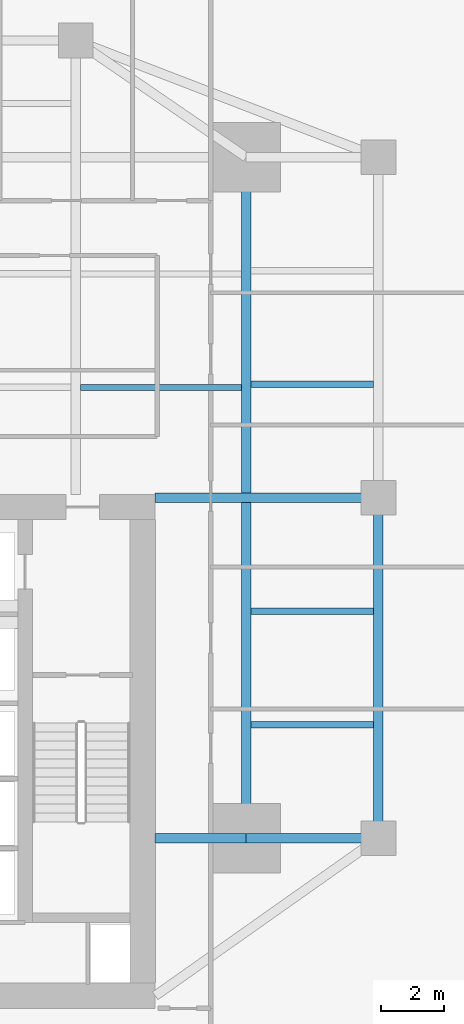
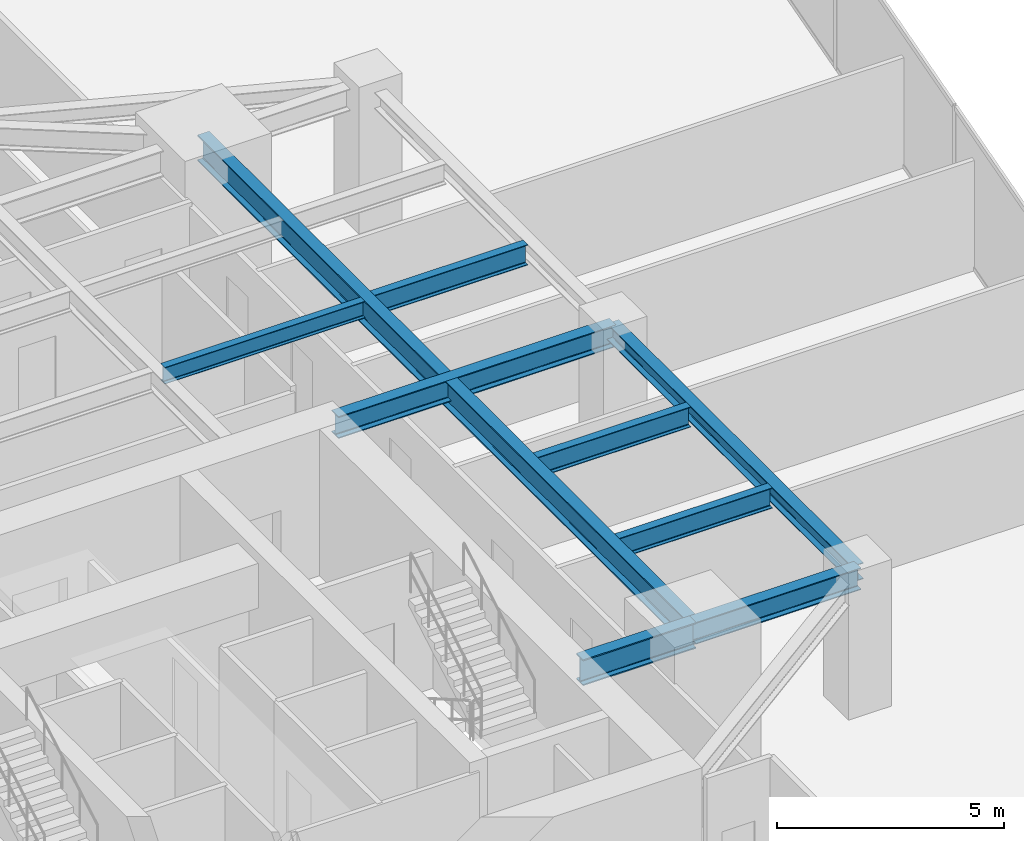
# One storey, part 13 of 29: 9 beams.
"""IFC4 building model written with IfcOpenShell, lengths in metres."""

from ifc_helpers import new_model, si_unit, direction, frame, origin, origin_2d, place, context, subcontext, project, spatial, i_section, extrude, source, transform, mapped, material, material_profile, profile_set, type_object, type_shapes, element, save


model = new_model("IFC4")

# Units and contexts
model_context = context("Model", 3, precision=1e-05, world=origin(), true_north=direction((0.0, 1.0)))
body_context = subcontext(model_context, "Body", "Model", "MODEL_VIEW")
ifc_project = project(units=[si_unit("LENGTHUNIT", "METRE"), si_unit("AREAUNIT", "SQUARE_METRE"), si_unit("VOLUMEUNIT", "CUBIC_METRE"), si_unit("PLANEANGLEUNIT", "RADIAN"), si_unit("MASSUNIT", "GRAM", prefix="KILO")], contexts=[model_context])

# Site, building, storey
site_placement = place(None, origin())
site = spatial("IfcSite", under=ifc_project, at=site_placement, CompositionType="ELEMENT")
building_placement = place(site_placement, origin())
building = spatial("IfcBuilding", under=site, at=building_placement, Name="Krantzveldt Concourse Tower", CompositionType="ELEMENT")
storey_placement = place(building_placement, frame((0.0, 0.0, 68.449951171875)))
storey = spatial("IfcBuildingStorey", under=building, at=storey_placement, Name="L16", CompositionType="ELEMENT", Elevation=68.449951171875)

# Beams
ifc_material_1 = material(Name="Steel S355J2", Category="steel")
ifc_material_profile_1 = material_profile(ifc_material_1, i_section(OverallWidth=0.300048828125, OverallDepth=0.699951171875, WebThickness=0.01708984375, FlangeThickness=0.031982421875, FilletRadius=0.027099609375, at=origin_2d()), Name="Steel S355J2", Category="steel")
ifc_profile_set_1 = profile_set([ifc_material_profile_1], Name="Steel S355J2 - HEB 700")
beam_type_1 = type_object("IfcBeamType", Name="BM-B-HEB700", PredefinedType="BEAM", material=ifc_profile_set_1)
shared_shape_1 = source(origin(), body_context, "Body", "SweptSolid", [
    extrude(i_section(OverallWidth=0.300048828125, OverallDepth=0.699951171875, WebThickness=0.01708984375, FlangeThickness=0.031982421875, FilletRadius=0.027099609375, at=origin_2d()), origin(), (0.0, 0.0, 1.0), 2.880126953125),
])
beam_1_placement = place(storey_placement, frame((43.919921875, 15.89990234375, 3.320068359375), z_axis=(1.0, 0.0, 0.0), x_axis=(0.0, 1.0, 0.0)))
element("IfcBeam", 1, at=beam_1_placement, inside=storey, type_object=beam_type_1, Name="L16 Tower Girder BG-CE1", PredefinedType="BEAM", context=body_context, shape_type="MappedRepresentation", body=[
    mapped(shared_shape_1, transform((0.0, 0.0, 0.0), x_axis=(1.0, 0.0, 0.0), y_axis=(0.0, 1.0, 0.0), z_axis=(0.0, 0.0, 1.0), scale=1.0)),
])
shared_shape_2 = source(origin(), body_context, "Body", "SweptSolid", [
    extrude(i_section(OverallWidth=0.300048828125, OverallDepth=0.699951171875, WebThickness=0.01708984375, FlangeThickness=0.031982421875, FilletRadius=0.027099609375, at=origin_2d()), origin(), (0.0, 0.0, 1.0), 21.60009765625),
])
type_shapes(beam_type_1, [shared_shape_1, shared_shape_2])
beam_2_placement = place(storey_placement, frame((46.800048828125, 15.89990234375, 3.320068359375), z_axis=(0.0, 1.0, 0.0), x_axis=(-1.0, 0.0, 0.0)))
element("IfcBeam", 2, at=beam_2_placement, inside=storey, type_object=beam_type_1, Name="L16 Tower Girder BG-ME", PredefinedType="BEAM", context=body_context, shape_type="MappedRepresentation", body=[
    mapped(shared_shape_2, transform((0.0, 0.0, 0.0), x_axis=(1.0, 0.0, 0.0), y_axis=(0.0, 1.0, 0.0), z_axis=(0.0, 0.0, 1.0), scale=1.0)),
])
ifc_material_2 = material(Name="Steel S355JR", Category="steel")
ifc_material_profile_2 = material_profile(ifc_material_2, i_section(OverallWidth=0.300048828125, OverallDepth=0.590087890625, WebThickness=0.012939453125, FlangeThickness=0.02490234375, FilletRadius=0.027099609375, at=origin_2d()), Name="Steel S355JR", Category="steel")
ifc_profile_set_2 = profile_set([ifc_material_profile_2], Name="Steel S355JR - HEA 600")
beam_type_2 = type_object("IfcBeamType", Name="BM-B-HEA600", PredefinedType="BEAM", material=ifc_profile_set_2)
shared_shape_3 = source(origin(), body_context, "Body", "SweptSolid", [
    extrude(i_section(OverallWidth=0.300048828125, OverallDepth=0.590087890625, WebThickness=0.012939453125, FlangeThickness=0.02490234375, FilletRadius=0.027099609375, at=origin_2d()), origin(), (0.0, 0.0, 1.0), 7.080078125),
])
beam_3_placement = place(storey_placement, frame((43.919921875, 26.699951171875, 3.375), z_axis=(1.0, 0.0, 0.0), x_axis=(0.0, 1.0, 0.0)))
element("IfcBeam", 3, at=beam_3_placement, inside=storey, type_object=beam_type_2, Name="L16 Tower Girder BG-CE2", PredefinedType="BEAM", context=body_context, shape_type="MappedRepresentation", body=[
    mapped(shared_shape_3, transform((0.0, 0.0, 0.0), x_axis=(1.0, 0.0, 0.0), y_axis=(0.0, 1.0, 0.0), z_axis=(0.0, 0.0, 1.0), scale=1.0)),
])
ifc_material_profile_3 = material_profile(ifc_material_2, i_section(OverallWidth=0.300048828125, OverallDepth=0.43994140625, WebThickness=0.011474609375, FlangeThickness=0.02099609375, FilletRadius=0.027099609375, at=origin_2d()), Name="Steel S355JR", Category="steel")
ifc_profile_set_3 = profile_set([ifc_material_profile_3], Name="Steel S355JR - HEA 450")
beam_type_3 = type_object("IfcBeamType", Name="BM-SP-HEA450", PredefinedType="SPANDREL", material=ifc_profile_set_3)
shared_shape_4 = source(origin(), body_context, "Body", "SweptSolid", [
    extrude(i_section(OverallWidth=0.300048828125, OverallDepth=0.43994140625, WebThickness=0.011474609375, FlangeThickness=0.02099609375, FilletRadius=0.027099609375, at=origin_2d()), origin(), (0.0, 0.0, 1.0), 10.800048828125),
])
type_shapes(beam_type_3, [shared_shape_4])
beam_4_placement = place(storey_placement, frame((51.0, 26.699951171875, 3.449951171875), z_axis=(0.0, -1.0, 0.0), x_axis=(1.0, 0.0, 0.0)))
element("IfcBeam", 4, at=beam_4_placement, inside=storey, type_object=beam_type_3, Name="L16 Tower Girder SP-R07", PredefinedType="SPANDREL", context=body_context, shape_type="MappedRepresentation", body=[
    mapped(shared_shape_4, transform((0.0, 0.0, 0.0), x_axis=(1.0, 0.0, 0.0), y_axis=(0.0, 1.0, 0.0), z_axis=(0.0, 0.0, 1.0), scale=1.0)),
])
shared_shape_5 = source(origin(), body_context, "Body", "SweptSolid", [
    extrude(i_section(OverallWidth=0.300048828125, OverallDepth=0.590087890625, WebThickness=0.012939453125, FlangeThickness=0.02490234375, FilletRadius=0.027099609375, at=origin_2d()), origin(), (0.0, 0.0, 1.0), 4.199951171875),
])
type_shapes(beam_type_2, [shared_shape_3, shared_shape_5])
beam_5_placement = place(storey_placement, frame((46.800048828125, 15.89990234375, 3.375), z_axis=(1.0, 0.0, 0.0), x_axis=(0.0, 1.0, 0.0)))
element("IfcBeam", 5, at=beam_5_placement, inside=storey, type_object=beam_type_2, Name="L16 Tower Girder BR-RR1", PredefinedType="BEAM", context=body_context, shape_type="MappedRepresentation", body=[
    mapped(shared_shape_5, transform((0.0, 0.0, 0.0), x_axis=(1.0, 0.0, 0.0), y_axis=(0.0, 1.0, 0.0), z_axis=(0.0, 0.0, 1.0), scale=1.0)),
])
ifc_material_profile_4 = material_profile(ifc_material_2, i_section(OverallWidth=0.18994140625, OverallDepth=0.449951171875, WebThickness=0.009521484375, FlangeThickness=0.0146484375, FilletRadius=0.02099609375, at=origin_2d()), Name="Steel S355JR", Category="steel")
ifc_profile_set_4 = profile_set([ifc_material_profile_4], Name="Steel S355JR - IPE 450")
beam_type_4 = type_object("IfcBeamType", Name="BM-J-IPE450", PredefinedType="JOIST", material=ifc_profile_set_4)
shared_shape_6 = source(origin(), body_context, "Body", "SweptSolid", [
    extrude(i_section(OverallWidth=0.18994140625, OverallDepth=0.449951171875, WebThickness=0.009521484375, FlangeThickness=0.0146484375, FilletRadius=0.02099609375, at=origin_2d()), origin(), (0.0, 0.0, 1.0), 5.099853515625),
])
type_shapes(beam_type_4, [shared_shape_6])
beam_6_placement = place(storey_placement, frame((41.550048828125, 30.199951171875, 3.445068359375), z_axis=(1.0, 0.0, 0.0), x_axis=(0.0, 1.0, 0.0)))
element("IfcBeam", 6, at=beam_6_placement, inside=storey, type_object=beam_type_4, Name="L16 Secondary Floor Joist JN-E1", PredefinedType="JOIST", context=body_context, shape_type="MappedRepresentation", body=[
    mapped(shared_shape_6, transform((0.0, 0.0, 0.0), x_axis=(1.0, 0.0, 0.0), y_axis=(0.0, 1.0, 0.0), z_axis=(0.0, 0.0, 1.0), scale=1.0)),
])
ifc_material_profile_5 = material_profile(ifc_material_2, i_section(OverallWidth=0.2099609375, OverallDepth=0.550048828125, WebThickness=0.010986328125, FlangeThickness=0.01708984375, FilletRadius=0.02392578125, at=origin_2d()), Name="Steel S355JR", Category="steel")
ifc_profile_set_5 = profile_set([ifc_material_profile_5], Name="Steel S355JR - IPE 550")
beam_type_5 = type_object("IfcBeamType", Name="BM-J-IPE550", PredefinedType="JOIST", material=ifc_profile_set_5)
shared_shape_7 = source(origin(), body_context, "Body", "SweptSolid", [
    extrude(i_section(OverallWidth=0.2099609375, OverallDepth=0.550048828125, WebThickness=0.010986328125, FlangeThickness=0.01708984375, FilletRadius=0.02392578125, at=origin_2d()), origin(), (0.0, 0.0, 1.0), 3.900146484375),
])
type_shapes(beam_type_5, [shared_shape_7])
for number, where, z_axis, x_axis, name in (
    (7, (46.949951171875, 19.5, 3.39501953125), (1.0, 0.0, 0.0), (0.0, 1.0, 0.0), "L16 Secondary Floor Joist JE-1"),
    (8, (46.949951171875, 23.10009765625, 3.39501953125), (1.0, 0.0, 0.0), (0.0, 1.0, 0.0), "L16 Secondary Floor Joist JE-2"),
    (9, (46.949951171875, 30.300048828125, 3.39501953125), (1.0, 0.0, 0.0), (0.0, 1.0, 0.0), "L16 Secondary Floor Joist JE-3"),
):
    element("IfcBeam", number, at=place(storey_placement, frame(where, z_axis=z_axis, x_axis=x_axis)), inside=storey, type_object=beam_type_5, Name=name, PredefinedType="JOIST", context=body_context, shape_type="MappedRepresentation", body=[
        mapped(shared_shape_7, transform((0.0, 0.0, 0.0), x_axis=(1.0, 0.0, 0.0), y_axis=(0.0, 1.0, 0.0), z_axis=(0.0, 0.0, 1.0), scale=1.0)),
    ])

save(model, "model.ifc")
